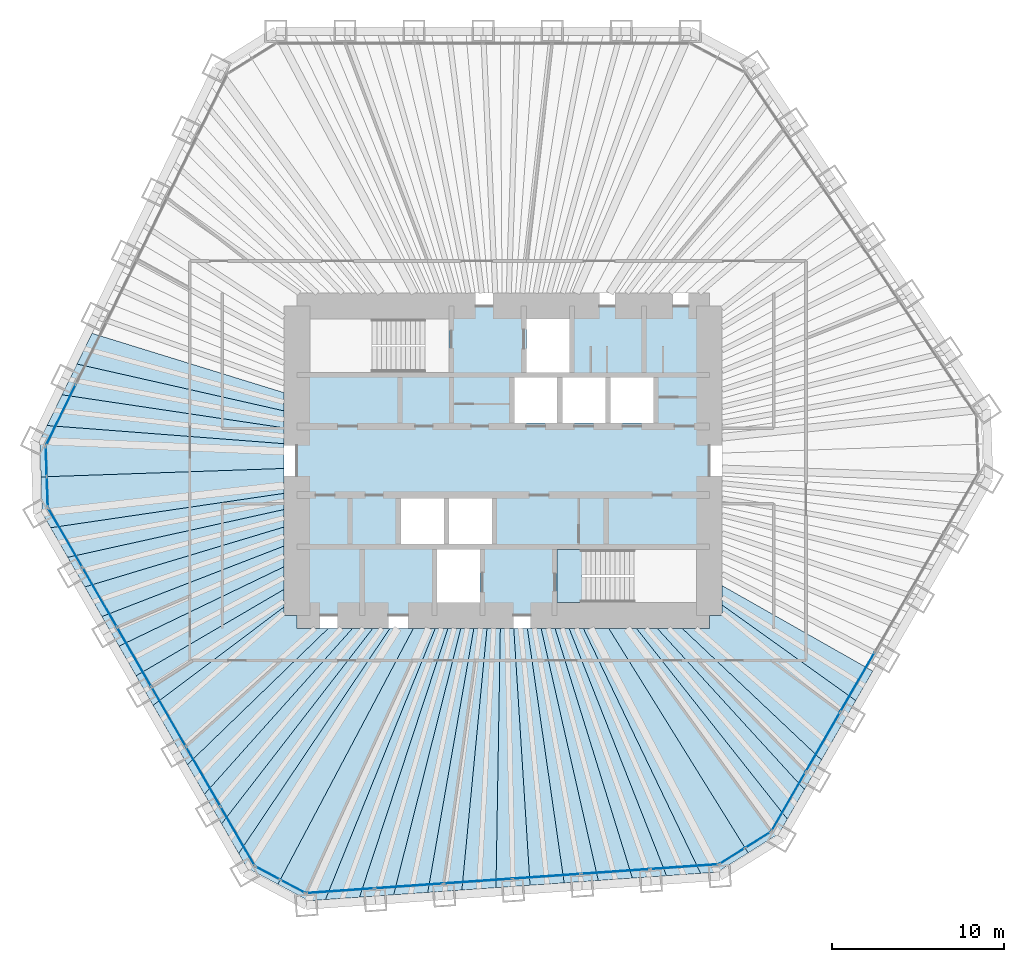
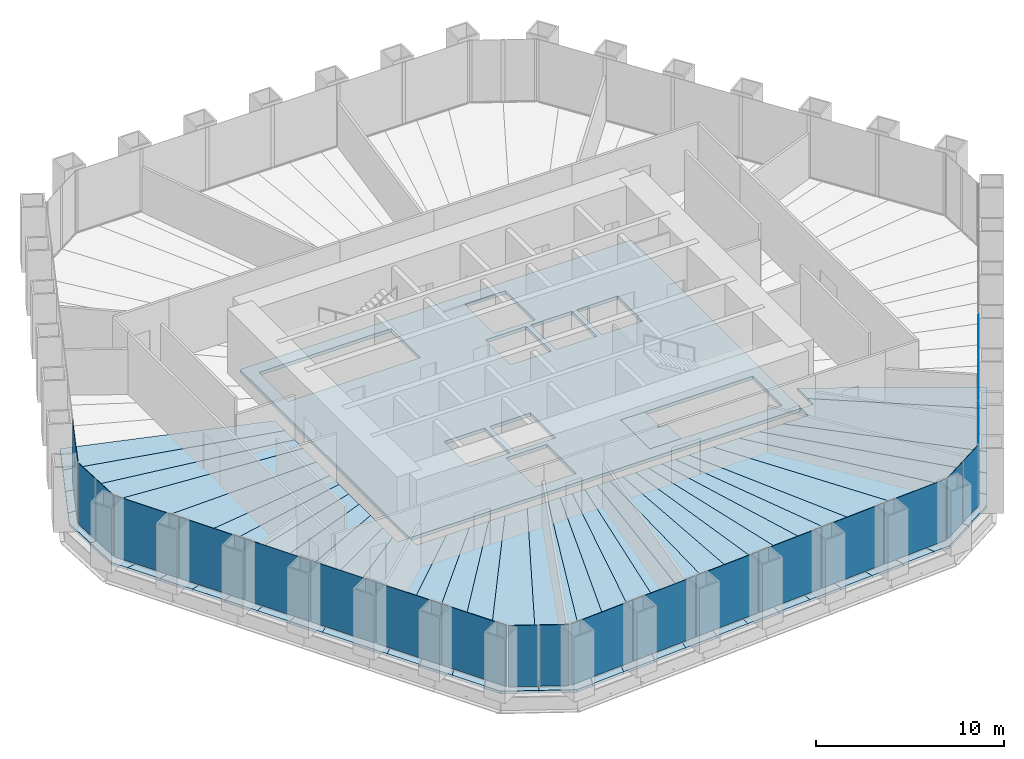
# One storey, part 8 of 13: 36 slabs, 22 plates, 8 elements without a shape of their own.
"""IFC4 building model written with IfcOpenShell, lengths in metres."""

from ifc_helpers import new_model, si_unit, direction, frame, origin, origin_2d, place, context, subcontext, project, spatial, polyline, rectangle, outline, extrude, material, layer, layer_set, type_object, element, aggregate, save


model = new_model("IFC4")

# Units and contexts
model_context = context("Model", 3, precision=1e-05, world=origin(), true_north=direction((0.0, 1.0)))
body_context = subcontext(model_context, "Body", "Model", "MODEL_VIEW")
ifc_project = project(units=[si_unit("LENGTHUNIT", "METRE"), si_unit("AREAUNIT", "SQUARE_METRE"), si_unit("VOLUMEUNIT", "CUBIC_METRE"), si_unit("PLANEANGLEUNIT", "RADIAN"), si_unit("MASSUNIT", "GRAM", prefix="KILO")], contexts=[model_context])

# Site, building, storey
site_placement = place(None, origin())
site = spatial("IfcSite", under=ifc_project, at=site_placement, CompositionType="ELEMENT")
building_placement = place(site_placement, origin())
building = spatial("IfcBuilding", under=site, at=building_placement, Name="Qingtian Harvest Tower", CompositionType="ELEMENT")
storey_placement = place(building_placement, frame((0.0, 0.0, 166.0)))
storey = spatial("IfcBuildingStorey", under=building, at=storey_placement, Name="L35", CompositionType="ELEMENT", Elevation=166.0)

# Slabs
ifc_material_1 = material(Name="Concrete fc' 35 MPa", Category="concrete")
ifc_layer_1 = layer(ifc_material_1, 0.169921875)
ifc_layer_set_1 = layer_set([ifc_layer_1], Name="Composite floor slab FS17 170")
slab_type_1 = type_object("IfcSlabType", Name="Composite floor slab FS17 170", PredefinedType="FLOOR", material=ifc_layer_set_1)
slab_1_placement = place(storey_placement, frame((0.0, 0.0, -0.169921875)))
element("IfcSlab", 1, at=slab_1_placement, inside=storey, type_object=slab_type_1, Name="Floor slab L35 panel D01", PredefinedType="FLOOR", context=body_context, shape_type="SweptSolid", body=[
    extrude(outline(polyline([(-26.8935546875, -0.939208984375), (-12.75, -0.447998046875), (-12.75, -1.89599609375), (-26.333984375, -3.8984375), (-26.819580078125, -3.056884765625), (-26.8935546875, -0.939208984375)])), origin(), (0.0, 0.0, 1.0), 0.169921875),
])
slab_2_placement = place(storey_placement, frame((0.0, 0.0, -0.169921875)))
element("IfcSlab", 2, at=slab_2_placement, inside=storey, type_object=slab_type_1, Name="Floor slab L35 panel D02", PredefinedType="FLOOR", context=body_context, shape_type="SweptSolid", body=[
    extrude(outline(polyline([(-12.75, -2.838134765625), (-25.3388671875, -5.62158203125), (-26.333984375, -3.8984375), (-12.75, -1.89599609375), (-12.75, -2.838134765625)])), origin(), (0.0, 0.0, 1.0), 0.169921875),
])
slab_3_placement = place(storey_placement, frame((0.0, 0.0, -0.169921875)))
element("IfcSlab", 3, at=slab_3_placement, inside=storey, type_object=slab_type_1, Name="Floor slab L35 panel D03", PredefinedType="FLOOR", context=body_context, shape_type="SweptSolid", body=[
    extrude(outline(polyline([(-12.75, -3.857666015625), (-24.343994140625, -7.344970703125), (-25.3388671875, -5.62158203125), (-12.75, -2.838134765625), (-12.75, -3.857666015625)])), origin(), (0.0, 0.0, 1.0), 0.169921875),
])
slab_4_placement = place(storey_placement, frame((0.0, 0.0, -0.169921875)))
element("IfcSlab", 4, at=slab_4_placement, inside=storey, type_object=slab_type_1, Name="Floor slab L35 panel D04", PredefinedType="FLOOR", context=body_context, shape_type="SweptSolid", body=[
    extrude(outline(polyline([(-12.75, -4.9638671875), (-23.34912109375, -9.068115234375), (-24.343994140625, -7.344970703125), (-12.75, -3.857666015625), (-12.75, -4.9638671875)])), origin(), (0.0, 0.0, 1.0), 0.169921875),
])
slab_5_placement = place(storey_placement, frame((0.0, 0.0, -0.169921875)))
element("IfcSlab", 5, at=slab_5_placement, inside=storey, type_object=slab_type_1, Name="Floor slab L35 panel D05", PredefinedType="FLOOR", context=body_context, shape_type="SweptSolid", body=[
    extrude(outline(polyline([(-12.75, -6.1689453125), (-22.354248046875, -10.79150390625), (-23.34912109375, -9.068115234375), (-12.75, -4.9638671875), (-12.75, -6.1689453125)])), origin(), (0.0, 0.0, 1.0), 0.169921875),
])
slab_6_placement = place(storey_placement, frame((0.0, 0.0, -0.169921875)))
element("IfcSlab", 6, at=slab_6_placement, inside=storey, type_object=slab_type_1, Name="Floor slab L35 panel D06", PredefinedType="FLOOR", context=body_context, shape_type="SweptSolid", body=[
    extrude(outline(polyline([(-12.75, -7.486328125), (-21.359130859375, -12.5146484375), (-22.354248046875, -10.79150390625), (-12.75, -6.1689453125), (-12.75, -7.486328125)])), origin(), (0.0, 0.0, 1.0), 0.169921875),
])
slab_7_placement = place(storey_placement, frame((0.0, 0.0, -0.169921875)))
element("IfcSlab", 7, at=slab_7_placement, inside=storey, type_object=slab_type_1, Name="Floor slab L35 panel D07", PredefinedType="FLOOR", context=body_context, shape_type="SweptSolid", body=[
    extrude(outline(polyline([(-12.75, -8.512451171875), (-20.36865234375, -14.23046875), (-21.359130859375, -12.5146484375), (-12.75, -7.486328125), (-12.75, -8.512451171875)])), origin(), (0.0, 0.0, 1.0), 0.169921875),
])
slab_8_placement = place(storey_placement, frame((0.0, 0.0, -0.169921875)))
element("IfcSlab", 8, at=slab_8_placement, inside=storey, type_object=slab_type_1, Name="Floor slab L35 panel D09", PredefinedType="FLOOR", context=body_context, shape_type="SweptSolid", body=[
    extrude(outline(polyline([(-18.375, -17.683837890625), (-20.36865234375, -14.23046875), (-12.75, -8.512451171875), (-12.75, -9.0), (-12.0, -9.0), (-12.0, -9.75), (-10.168212890625, -9.75), (-18.375, -17.683837890625)])), origin(), (0.0, 0.0, 1.0), 0.169921875),
])
slab_9_placement = place(storey_placement, frame((0.0, 0.0, -0.169921875)))
element("IfcSlab", 9, at=slab_9_placement, inside=storey, type_object=slab_type_1, Name="Floor slab L35 panel D10", PredefinedType="FLOOR", context=body_context, shape_type="SweptSolid", body=[
    extrude(outline(polyline([(-8.759521484375, -9.75), (-17.3798828125, -19.4072265625), (-18.375, -17.683837890625), (-10.168212890625, -9.75), (-8.759521484375, -9.75)])), origin(), (0.0, 0.0, 1.0), 0.169921875),
])
slab_10_placement = place(storey_placement, frame((0.0, 0.0, -0.169921875)))
element("IfcSlab", 10, at=slab_10_placement, inside=storey, type_object=slab_type_1, Name="Floor slab L35 panel D11", PredefinedType="FLOOR", context=body_context, shape_type="SweptSolid", body=[
    extrude(outline(polyline([(-7.58203125, -9.75), (-16.385009765625, -21.13037109375), (-17.3798828125, -19.4072265625), (-8.759521484375, -9.75), (-7.58203125, -9.75)])), origin(), (0.0, 0.0, 1.0), 0.169921875),
])
slab_11_placement = place(storey_placement, frame((0.0, 0.0, -0.169921875)))
element("IfcSlab", 11, at=slab_11_placement, inside=storey, type_object=slab_type_1, Name="Floor slab L35 panel D12", PredefinedType="FLOOR", context=body_context, shape_type="SweptSolid", body=[
    extrude(outline(polyline([(-6.5830078125, -9.75), (-15.389892578125, -22.853759765625), (-16.385009765625, -21.13037109375), (-7.58203125, -9.75), (-6.5830078125, -9.75)])), origin(), (0.0, 0.0, 1.0), 0.169921875),
])
slab_12_placement = place(storey_placement, frame((0.0, 0.0, -0.169921875)))
element("IfcSlab", 12, at=slab_12_placement, inside=storey, type_object=slab_type_1, Name="Floor slab L35 panel D13", PredefinedType="FLOOR", context=body_context, shape_type="SweptSolid", body=[
    extrude(outline(polyline([(-6.5830078125, -9.75), (-5.21875, -9.75), (-13.107421875, -24.650634765625), (-14.904052734375, -23.6953125), (-15.389892578125, -22.853759765625), (-6.5830078125, -9.75)])), origin(), (0.0, 0.0, 1.0), 0.169921875),
])
slab_13_placement = place(storey_placement, frame((0.0, 0.0, -0.169921875)))
element("IfcSlab", 13, at=slab_13_placement, inside=storey, type_object=slab_type_1, Name="Floor slab L35 panel D14", PredefinedType="FLOOR", context=body_context, shape_type="SweptSolid", body=[
    extrude(outline(polyline([(-5.21875, -9.75), (-3.947021484375, -9.75), (-10.3408203125, -25.53857421875), (-11.31005859375, -25.606201171875), (-13.107421875, -24.650634765625), (-5.21875, -9.75)])), origin(), (0.0, 0.0, 1.0), 0.169921875),
])
slab_14_placement = place(storey_placement, frame((0.0, 0.0, -0.169921875)))
element("IfcSlab", 14, at=slab_14_placement, inside=storey, type_object=slab_type_1, Name="Floor slab L35 panel D15", PredefinedType="FLOOR", context=body_context, shape_type="SweptSolid", body=[
    extrude(outline(polyline([(-3.20654296875, -9.75), (-8.35595703125, -25.399658203125), (-10.3408203125, -25.53857421875), (-3.947021484375, -9.75), (-3.20654296875, -9.75)])), origin(), (0.0, 0.0, 1.0), 0.169921875),
])
slab_15_placement = place(storey_placement, frame((0.0, 0.0, -0.169921875)))
element("IfcSlab", 15, at=slab_15_placement, inside=storey, type_object=slab_type_1, Name="Floor slab L35 panel D16", PredefinedType="FLOOR", context=body_context, shape_type="SweptSolid", body=[
    extrude(outline(polyline([(-2.4580078125, -9.75), (-6.370849609375, -25.260986328125), (-8.35595703125, -25.399658203125), (-3.20654296875, -9.75), (-2.4580078125, -9.75)])), origin(), (0.0, 0.0, 1.0), 0.169921875),
])
slab_16_placement = place(storey_placement, frame((0.0, 0.0, -0.169921875)))
element("IfcSlab", 16, at=slab_16_placement, inside=storey, type_object=slab_type_1, Name="Floor slab L35 panel D17", PredefinedType="FLOOR", context=body_context, shape_type="SweptSolid", body=[
    extrude(outline(polyline([(-1.701171875, -9.75), (-4.385986328125, -25.1220703125), (-6.370849609375, -25.260986328125), (-2.4580078125, -9.75), (-1.701171875, -9.75)])), origin(), (0.0, 0.0, 1.0), 0.169921875),
])
slab_17_placement = place(storey_placement, frame((0.0, 0.0, -0.169921875)))
element("IfcSlab", 17, at=slab_17_placement, inside=storey, type_object=slab_type_1, Name="Floor slab L35 panel D18", PredefinedType="FLOOR", context=body_context, shape_type="SweptSolid", body=[
    extrude(outline(polyline([(-0.93603515625, -9.75), (-2.40087890625, -24.9833984375), (-4.385986328125, -25.1220703125), (-1.701171875, -9.75), (-0.93603515625, -9.75)])), origin(), (0.0, 0.0, 1.0), 0.169921875),
])
slab_18_placement = place(storey_placement, frame((0.0, 0.0, -0.169921875)))
element("IfcSlab", 18, at=slab_18_placement, inside=storey, type_object=slab_type_1, Name="Floor slab L35 panel D19", PredefinedType="FLOOR", context=body_context, shape_type="SweptSolid", body=[
    extrude(outline(polyline([(-0.162109375, -9.75), (-0.416015625, -24.844482421875), (-2.40087890625, -24.9833984375), (-0.93603515625, -9.75), (-0.162109375, -9.75)])), origin(), (0.0, 0.0, 1.0), 0.169921875),
])
slab_19_placement = place(storey_placement, frame((0.0, 0.0, -0.169921875)))
element("IfcSlab", 19, at=slab_19_placement, inside=storey, type_object=slab_type_1, Name="Floor slab L35 panel D20", PredefinedType="FLOOR", context=body_context, shape_type="SweptSolid", body=[
    extrude(outline(polyline([(0.620361328125, -9.75), (1.569091796875, -24.705810546875), (-0.416015625, -24.844482421875), (-0.162109375, -9.75), (0.620361328125, -9.75)])), origin(), (0.0, 0.0, 1.0), 0.169921875),
])
slab_20_placement = place(storey_placement, frame((0.0, 0.0, -0.169921875)))
element("IfcSlab", 20, at=slab_20_placement, inside=storey, type_object=slab_type_1, Name="Floor slab L35 panel D21", PredefinedType="FLOOR", context=body_context, shape_type="SweptSolid", body=[
    extrude(outline(polyline([(1.41162109375, -9.75), (3.553955078125, -24.56689453125), (1.569091796875, -24.705810546875), (0.620361328125, -9.75), (1.41162109375, -9.75)])), origin(), (0.0, 0.0, 1.0), 0.169921875),
])
slab_21_placement = place(storey_placement, frame((0.0, 0.0, -0.169921875)))
element("IfcSlab", 21, at=slab_21_placement, inside=storey, type_object=slab_type_1, Name="Floor slab L35 panel D22", PredefinedType="FLOOR", context=body_context, shape_type="SweptSolid", body=[
    extrude(outline(polyline([(2.2119140625, -9.75), (5.5390625, -24.42822265625), (3.553955078125, -24.56689453125), (1.41162109375, -9.75), (2.2119140625, -9.75)])), origin(), (0.0, 0.0, 1.0), 0.169921875),
])
slab_22_placement = place(storey_placement, frame((0.0, 0.0, -0.169921875)))
element("IfcSlab", 22, at=slab_22_placement, inside=storey, type_object=slab_type_1, Name="Floor slab L35 panel D23", PredefinedType="FLOOR", context=body_context, shape_type="SweptSolid", body=[
    extrude(outline(polyline([(3.021484375, -9.75), (7.524169921875, -24.289306640625), (5.5390625, -24.42822265625), (2.2119140625, -9.75), (3.021484375, -9.75)])), origin(), (0.0, 0.0, 1.0), 0.169921875),
])
slab_23_placement = place(storey_placement, frame((0.0, 0.0, -0.169921875)))
element("IfcSlab", 23, at=slab_23_placement, inside=storey, type_object=slab_type_1, Name="Floor slab L35 panel D24", PredefinedType="FLOOR", context=body_context, shape_type="SweptSolid", body=[
    extrude(outline(polyline([(3.840087890625, -9.75), (9.509033203125, -24.150390625), (7.524169921875, -24.289306640625), (3.021484375, -9.75), (3.840087890625, -9.75)])), origin(), (0.0, 0.0, 1.0), 0.169921875),
])
slab_24_placement = place(storey_placement, frame((0.0, 0.0, -0.169921875)))
element("IfcSlab", 24, at=slab_24_placement, inside=storey, type_object=slab_type_1, Name="Floor slab L35 panel D25", PredefinedType="FLOOR", context=body_context, shape_type="SweptSolid", body=[
    extrude(outline(polyline([(4.66845703125, -9.75), (11.494140625, -24.01171875), (9.509033203125, -24.150390625), (3.840087890625, -9.75), (4.66845703125, -9.75)])), origin(), (0.0, 0.0, 1.0), 0.169921875),
])
slab_25_placement = place(storey_placement, frame((0.0, 0.0, -0.169921875)))
element("IfcSlab", 25, at=slab_25_placement, inside=storey, type_object=slab_type_1, Name="Floor slab L35 panel D26", PredefinedType="FLOOR", context=body_context, shape_type="SweptSolid", body=[
    extrude(outline(polyline([(4.66845703125, -9.75), (6.14404296875, -9.75), (14.2607421875, -22.820556640625), (12.463134765625, -23.94384765625), (11.494140625, -24.01171875), (4.66845703125, -9.75)])), origin(), (0.0, 0.0, 1.0), 0.169921875),
])
slab_26_placement = place(storey_placement, frame((0.0, 0.0, -0.169921875)))
element("IfcSlab", 26, at=slab_26_placement, inside=storey, type_object=slab_type_1, Name="Floor slab L35 panel D27", PredefinedType="FLOOR", context=body_context, shape_type="SweptSolid", body=[
    extrude(outline(polyline([(6.14404296875, -9.75), (7.756103515625, -9.75), (16.543212890625, -20.8564453125), (16.05712890625, -21.697998046875), (14.2607421875, -22.820556640625), (6.14404296875, -9.75)])), origin(), (0.0, 0.0, 1.0), 0.169921875),
])
slab_27_placement = place(storey_placement, frame((0.0, 0.0, -0.169921875)))
element("IfcSlab", 27, at=slab_27_placement, inside=storey, type_object=slab_type_1, Name="Floor slab L35 panel D28", PredefinedType="FLOOR", context=body_context, shape_type="SweptSolid", body=[
    extrude(outline(polyline([(8.966552734375, -9.75), (17.5380859375, -19.133056640625), (16.543212890625, -20.8564453125), (7.756103515625, -9.75), (8.966552734375, -9.75)])), origin(), (0.0, 0.0, 1.0), 0.169921875),
])
slab_28_placement = place(storey_placement, frame((0.0, 0.0, -0.169921875)))
element("IfcSlab", 28, at=slab_28_placement, inside=storey, type_object=slab_type_1, Name="Floor slab L35 panel D29", PredefinedType="FLOOR", context=body_context, shape_type="SweptSolid", body=[
    extrude(outline(polyline([(10.41796875, -9.75), (18.532958984375, -17.40966796875), (17.5380859375, -19.133056640625), (8.966552734375, -9.75), (10.41796875, -9.75)])), origin(), (0.0, 0.0, 1.0), 0.169921875),
])
slab_29_placement = place(storey_placement, frame((0.0, 0.0, -0.169921875)))
element("IfcSlab", 29, at=slab_29_placement, inside=storey, type_object=slab_type_1, Name="Floor slab L35 panel D31", PredefinedType="FLOOR", context=body_context, shape_type="SweptSolid", body=[
    extrude(outline(polyline([(12.75, -8.398681640625), (20.525390625, -13.958740234375), (18.532958984375, -17.40966796875), (10.41796875, -9.75), (12.0, -9.75), (12.0, -9.0), (12.75, -9.0), (12.75, -8.398681640625)])), origin(), (0.0, 0.0, 1.0), 0.169921875),
])
slab_30_placement = place(storey_placement, frame((0.0, 0.0, -0.169921875)))
element("IfcSlab", 30, at=slab_30_placement, inside=storey, type_object=slab_type_1, Name="Floor slab L35 panel D32", PredefinedType="FLOOR", context=body_context, shape_type="SweptSolid", body=[
    extrude(outline(polyline([(12.75, -7.268798828125), (21.517333984375, -12.24072265625), (20.525390625, -13.958740234375), (12.75, -8.398681640625), (12.75, -7.268798828125)])), origin(), (0.0, 0.0, 1.0), 0.169921875),
])
slab_31_placement = place(storey_placement, frame((0.0, 0.0, -0.169921875)))
element("IfcSlab", 31, at=slab_31_placement, inside=storey, type_object=slab_type_1, Name="Floor slab L35 panel D75", PredefinedType="FLOOR", context=body_context, shape_type="SweptSolid", body=[
    extrude(outline(polyline([(-12.75, 2.903076171875), (-24.797119140625, 5.62890625), (-23.9248046875, 7.417236328125), (-12.75, 3.962646484375), (-12.75, 2.903076171875)])), origin(), (0.0, 0.0, 1.0), 0.169921875),
])
slab_32_placement = place(storey_placement, frame((0.0, 0.0, -0.169921875)))
element("IfcSlab", 32, at=slab_32_placement, inside=storey, type_object=slab_type_1, Name="Floor slab L35 panel D76", PredefinedType="FLOOR", context=body_context, shape_type="SweptSolid", body=[
    extrude(outline(polyline([(-12.75, 1.91552734375), (-25.66943359375, 3.84033203125), (-24.797119140625, 5.62890625), (-12.75, 2.903076171875), (-12.75, 1.91552734375)])), origin(), (0.0, 0.0, 1.0), 0.169921875),
])
slab_33_placement = place(storey_placement, frame((0.0, 0.0, -0.169921875)))
element("IfcSlab", 33, at=slab_33_placement, inside=storey, type_object=slab_type_1, Name="Floor slab L35 panel D77", PredefinedType="FLOOR", context=body_context, shape_type="SweptSolid", body=[
    extrude(outline(polyline([(-12.75, 0.992919921875), (-26.541748046875, 2.0517578125), (-25.66943359375, 3.84033203125), (-12.75, 1.91552734375), (-12.75, 0.992919921875)])), origin(), (0.0, 0.0, 1.0), 0.169921875),
])
slab_34_placement = place(storey_placement, frame((0.0, 0.0, -0.169921875)))
element("IfcSlab", 34, at=slab_34_placement, inside=storey, type_object=slab_type_1, Name="Floor slab L35 panel D78", PredefinedType="FLOOR", context=body_context, shape_type="SweptSolid", body=[
    extrude(outline(polyline([(-12.75, 0.992919921875), (-12.75, -0.447998046875), (-26.8935546875, -0.939208984375), (-26.967529296875, 1.1787109375), (-26.541748046875, 2.0517578125), (-12.75, 0.992919921875)])), origin(), (0.0, 0.0, 1.0), 0.169921875),
])
ifc_material_2 = material(Name="Concrete fc' 35 MPa", Category="concrete")
ifc_layer_2 = layer(ifc_material_2, 0.219970703125)
ifc_layer_set_2 = layer_set([ifc_layer_2], Name="Core floor slab CS22 220")
slab_type_2 = type_object("IfcSlabType", Name="Core floor slab CS22 220", PredefinedType="FLOOR", material=ifc_layer_set_2)
slab_35_placement = place(storey_placement, frame((0.0, 0.0, -0.219970703125)))
element("IfcSlab", 35, at=slab_35_placement, inside=storey, type_object=slab_type_2, Name="Core floor slab L35", PredefinedType="FLOOR", context=body_context, shape_type="SweptSolid", body=[
    extrude(outline(polyline([(-12.0, -9.0), (12.0, -9.0), (12.0, 9.0), (-12.0, 9.0), (-12.0, -9.0)]), holes=[polyline([(-11.25, 5.14990234375), (-3.14990234375, 5.14990234375), (-3.14990234375, 8.25), (-11.25, 8.25), (-11.25, 5.14990234375)]), polyline([(3.14990234375, -8.25), (11.25, -8.25), (11.25, -5.14990234375), (3.14990234375, -5.14990234375), (3.14990234375, -8.25)]), polyline([(1.35009765625, 5.14990234375), (3.85009765625, 5.14990234375), (3.85009765625, 8.25), (1.35009765625, 8.25), (1.35009765625, 5.14990234375)]), polyline([(-3.85009765625, -8.25), (-1.35009765625, -8.25), (-1.35009765625, -5.14990234375), (-3.85009765625, -5.14990234375), (-3.85009765625, -8.25)]), polyline([(0.64990234375, 2.199951171875), (3.14990234375, 2.199951171875), (3.14990234375, 4.85009765625), (0.64990234375, 4.85009765625), (0.64990234375, 2.199951171875)]), polyline([(3.449951171875, 2.199951171875), (5.949951171875, 2.199951171875), (5.949951171875, 4.85009765625), (3.449951171875, 4.85009765625), (3.449951171875, 2.199951171875)]), polyline([(6.25, 2.199951171875), (8.75, 2.199951171875), (8.75, 4.85009765625), (6.25, 4.85009765625), (6.25, 2.199951171875)]), polyline([(-5.949951171875, -4.85009765625), (-3.449951171875, -4.85009765625), (-3.449951171875, -2.199951171875), (-5.949951171875, -2.199951171875), (-5.949951171875, -4.85009765625)]), polyline([(-3.14990234375, -4.85009765625), (-0.64990234375, -4.85009765625), (-0.64990234375, -2.199951171875), (-3.14990234375, -2.199951171875), (-3.14990234375, -4.85009765625)])]), origin(), (0.0, 0.0, 1.0), 0.219970703125),
])

# Curtain wall, plates
ifc_material_3 = material(Name="Bronze-anodised aluminium curtain wall", Category="aluminium")
curtain_wall_type = type_object("IfcCurtainWallType", Name="Curtain wall CW4 office", PredefinedType="USERDEFINED", material=ifc_material_3)
curtain_wall_1_placement = place(storey_placement, origin())
curtain_wall_1 = element("IfcCurtainWall", 36, at=curtain_wall_1_placement, inside=storey, type_object=curtain_wall_type, Name="Curtain wall CW4 L35 SE0-5", ObjectType="RECESSED CURTAIN WALL", PredefinedType="USERDEFINED")
ifc_material_4 = material(Name="Bronze-tinted laminated insulating glass", Category="glass")
ifc_layer_3 = layer(ifc_material_4, 0.030029296875)
ifc_layer_set_3 = layer_set([ifc_layer_3], Name="Glazed panel CWP tinted IGU")
plate_type = type_object("IfcPlateType", Name="Glazed panel CWP tinted IGU", PredefinedType="CURTAIN_PANEL", material=ifc_layer_set_3)
plate_1_placement = place(storey_placement, frame((20.621826171875, -12.8818359375, 0.06494140625), z_axis=(0.0, 0.0, 1.0), x_axis=(-0.5, -0.866025403784, 0.0)))
plate_1 = element("IfcPlate", 37, at=plate_1_placement, type_object=plate_type, Name="CW4 panel 4.1", PredefinedType="CURTAIN_PANEL", context=body_context, shape_type="SweptSolid", body=[
    extrude(rectangle(XDim=3.9541015625, YDim=0.030029296875, at=origin_2d()), origin(), (0.0, 0.0, 1.0), 3.965087890625),
])
plate_2_placement = place(storey_placement, frame((18.6123046875, -16.362548828125, 0.06494140625), z_axis=(0.0, 0.0, 1.0), x_axis=(-0.5, -0.866025403784, 0.0)))
plate_2 = element("IfcPlate", 38, at=plate_2_placement, type_object=plate_type, Name="CW4 panel 5.1", PredefinedType="CURTAIN_PANEL", context=body_context, shape_type="SweptSolid", body=[
    extrude(rectangle(XDim=3.9541015625, YDim=0.030029296875, at=origin_2d()), origin(), (0.0, 0.0, 1.0), 3.965087890625),
])
plate_3_placement = place(storey_placement, frame((16.61083984375, -19.8291015625, 0.06494140625), z_axis=(0.0, 0.0, 1.0), x_axis=(-0.5, -0.866025403784, 0.0)))
plate_3 = element("IfcPlate", 39, at=plate_3_placement, type_object=plate_type, Name="CW4 panel 6.1", PredefinedType="CURTAIN_PANEL", context=body_context, shape_type="SweptSolid", body=[
    extrude(rectangle(XDim=3.921630859375, YDim=0.030029296875, at=origin_2d()), origin(), (0.0, 0.0, 1.0), 3.965087890625),
])
aggregate(curtain_wall_1, [plate_1, plate_2, plate_3])

curtain_wall_2_placement = place(storey_placement, origin())
curtain_wall_2 = element("IfcCurtainWall", 40, at=curtain_wall_2_placement, inside=storey, type_object=curtain_wall_type, Name="Curtain wall CW4 L35 SEC", ObjectType="RECESSED CURTAIN WALL", PredefinedType="USERDEFINED")
plate_4_placement = place(storey_placement, frame((14.8251953125, -22.06640625, 0.06494140625), z_axis=(0.0, 0.0, 1.0), x_axis=(-0.848048096156, -0.529919264233, 0.0)))
plate_4 = element("IfcPlate", 41, at=plate_4_placement, type_object=plate_type, Name="CW4 panel 1.1", PredefinedType="CURTAIN_PANEL", context=body_context, shape_type="SweptSolid", body=[
    extrude(rectangle(XDim=1.69287109375, YDim=0.030029296875, at=origin_2d()), origin(), (0.0, 0.0, 1.0), 3.965087890625),
])
plate_5_placement = place(storey_placement, frame((13.334228515625, -22.998046875, 0.06494140625), z_axis=(0.0, 0.0, 1.0), x_axis=(-0.848048096156, -0.529919264233, 0.0)))
plate_5 = element("IfcPlate", 42, at=plate_5_placement, type_object=plate_type, Name="CW4 panel 2.1", PredefinedType="CURTAIN_PANEL", context=body_context, shape_type="SweptSolid", body=[
    extrude(rectangle(XDim=1.69287109375, YDim=0.030029296875, at=origin_2d()), origin(), (0.0, 0.0, 1.0), 3.965087890625),
])
aggregate(curtain_wall_2, [plate_4, plate_5])

curtain_wall_3_placement = place(storey_placement, origin())
curtain_wall_3 = element("IfcCurtainWall", 43, at=curtain_wall_3_placement, inside=storey, type_object=curtain_wall_type, Name="Curtain wall CW4 L35 S0-5", ObjectType="RECESSED CURTAIN WALL", PredefinedType="USERDEFINED")
plate_6_placement = place(storey_placement, frame((10.54052734375, -23.622314453125, 0.06494140625), z_axis=(0.0, 0.0, 1.0), x_axis=(-0.99756405026, -0.069756473744, 0.0)))
plate_6 = element("IfcPlate", 44, at=plate_6_placement, type_object=plate_type, Name="CW4 panel 1.1", PredefinedType="CURTAIN_PANEL", context=body_context, shape_type="SweptSolid", body=[
    extrude(rectangle(XDim=3.921630859375, YDim=0.030029296875, at=origin_2d()), origin(), (0.0, 0.0, 1.0), 3.965087890625),
])
plate_7_placement = place(storey_placement, frame((6.54736328125, -23.901611328125, 0.06494140625), z_axis=(0.0, 0.0, 1.0), x_axis=(-0.99756405026, -0.069756473744, 0.0)))
plate_7 = element("IfcPlate", 45, at=plate_7_placement, type_object=plate_type, Name="CW4 panel 2.1", PredefinedType="CURTAIN_PANEL", context=body_context, shape_type="SweptSolid", body=[
    extrude(rectangle(XDim=3.9541015625, YDim=0.030029296875, at=origin_2d()), origin(), (0.0, 0.0, 1.0), 3.965087890625),
])
plate_8_placement = place(storey_placement, frame((2.5380859375, -24.181884765625, 0.06494140625), z_axis=(0.0, 0.0, 1.0), x_axis=(-0.99756405026, -0.069756473744, 0.0)))
plate_8 = element("IfcPlate", 46, at=plate_8_placement, type_object=plate_type, Name="CW4 panel 3.1", PredefinedType="CURTAIN_PANEL", context=body_context, shape_type="SweptSolid", body=[
    extrude(rectangle(XDim=3.9541015625, YDim=0.030029296875, at=origin_2d()), origin(), (0.0, 0.0, 1.0), 3.965087890625),
])
plate_9_placement = place(storey_placement, frame((-1.47119140625, -24.462158203125, 0.06494140625), z_axis=(0.0, 0.0, 1.0), x_axis=(-0.99756405026, -0.069756473744, 0.0)))
plate_9 = element("IfcPlate", 47, at=plate_9_placement, type_object=plate_type, Name="CW4 panel 4.1", PredefinedType="CURTAIN_PANEL", context=body_context, shape_type="SweptSolid", body=[
    extrude(rectangle(XDim=3.9541015625, YDim=0.030029296875, at=origin_2d()), origin(), (0.0, 0.0, 1.0), 3.965087890625),
])
plate_10_placement = place(storey_placement, frame((-5.48046875, -24.74267578125, 0.06494140625), z_axis=(0.0, 0.0, 1.0), x_axis=(-0.99756405026, -0.069756473744, 0.0)))
plate_10 = element("IfcPlate", 48, at=plate_10_placement, type_object=plate_type, Name="CW4 panel 5.1", PredefinedType="CURTAIN_PANEL", context=body_context, shape_type="SweptSolid", body=[
    extrude(rectangle(XDim=3.9541015625, YDim=0.030029296875, at=origin_2d()), origin(), (0.0, 0.0, 1.0), 3.965087890625),
])
plate_11_placement = place(storey_placement, frame((-9.4736328125, -25.021728515625, 0.06494140625), z_axis=(0.0, 0.0, 1.0), x_axis=(-0.99756405026, -0.069756473744, 0.0)))
plate_11 = element("IfcPlate", 49, at=plate_11_placement, type_object=plate_type, Name="CW4 panel 6.1", PredefinedType="CURTAIN_PANEL", context=body_context, shape_type="SweptSolid", body=[
    extrude(rectangle(XDim=3.921630859375, YDim=0.030029296875, at=origin_2d()), origin(), (0.0, 0.0, 1.0), 3.965087890625),
])
aggregate(curtain_wall_3, [plate_6, plate_7, plate_8, plate_9, plate_10, plate_11])

curtain_wall_4_placement = place(storey_placement, origin())
curtain_wall_4 = element("IfcCurtainWall", 50, at=curtain_wall_4_placement, inside=storey, type_object=curtain_wall_type, Name="Curtain wall CW4 L35 SC", ObjectType="RECESSED CURTAIN WALL", PredefinedType="USERDEFINED")
plate_12_placement = place(storey_placement, frame((-12.24365234375, -24.764892578125, 0.06494140625), z_axis=(0.0, 0.0, 1.0), x_axis=(-0.882947592859, 0.469471562786, 0.0)))
plate_12 = element("IfcPlate", 51, at=plate_12_placement, type_object=plate_type, Name="CW4 panel 1.1", PredefinedType="CURTAIN_PANEL", context=body_context, shape_type="SweptSolid", body=[
    extrude(rectangle(XDim=1.56689453125, YDim=0.030029296875, at=origin_2d()), origin(), (0.0, 0.0, 1.0), 3.965087890625),
])
plate_13_placement = place(storey_placement, frame((-13.684326171875, -23.998779296875, 0.06494140625), z_axis=(0.0, 0.0, 1.0), x_axis=(-0.882947592859, 0.469471562786, 0.0)))
plate_13 = element("IfcPlate", 52, at=plate_13_placement, type_object=plate_type, Name="CW4 panel 2.1", PredefinedType="CURTAIN_PANEL", context=body_context, shape_type="SweptSolid", body=[
    extrude(rectangle(XDim=1.56689453125, YDim=0.030029296875, at=origin_2d()), origin(), (0.0, 0.0, 1.0), 3.965087890625),
])
aggregate(curtain_wall_4, [plate_12, plate_13])

curtain_wall_5_placement = place(storey_placement, origin())
curtain_wall_5 = element("IfcCurtainWall", 53, at=curtain_wall_5_placement, inside=storey, type_object=curtain_wall_type, Name="Curtain wall CW4 L35 SW0-5", ObjectType="RECESSED CURTAIN WALL", PredefinedType="USERDEFINED")
plate_14_placement = place(storey_placement, frame((-15.446533203125, -21.845947265625, 0.06494140625), z_axis=(0.0, 0.0, 1.0), x_axis=(-0.5, 0.866025403784, 0.0)))
plate_14 = element("IfcPlate", 54, at=plate_14_placement, type_object=plate_type, Name="CW4 panel 1.1", PredefinedType="CURTAIN_PANEL", context=body_context, shape_type="SweptSolid", body=[
    extrude(rectangle(XDim=3.921630859375, YDim=0.030029296875, at=origin_2d()), origin(), (0.0, 0.0, 1.0), 3.965087890625),
])
plate_15_placement = place(storey_placement, frame((-17.44775390625, -18.37939453125, 0.06494140625), z_axis=(0.0, 0.0, 1.0), x_axis=(-0.5, 0.866025403784, 0.0)))
plate_15 = element("IfcPlate", 55, at=plate_15_placement, type_object=plate_type, Name="CW4 panel 2.1", PredefinedType="CURTAIN_PANEL", context=body_context, shape_type="SweptSolid", body=[
    extrude(rectangle(XDim=3.9541015625, YDim=0.030029296875, at=origin_2d()), origin(), (0.0, 0.0, 1.0), 3.965087890625),
])
plate_16_placement = place(storey_placement, frame((-19.45751953125, -14.898681640625, 0.06494140625), z_axis=(0.0, 0.0, 1.0), x_axis=(-0.5, 0.866025403784, 0.0)))
plate_16 = element("IfcPlate", 56, at=plate_16_placement, type_object=plate_type, Name="CW4 panel 3.1", PredefinedType="CURTAIN_PANEL", context=body_context, shape_type="SweptSolid", body=[
    extrude(rectangle(XDim=3.9541015625, YDim=0.030029296875, at=origin_2d()), origin(), (0.0, 0.0, 1.0), 3.965087890625),
])
plate_17_placement = place(storey_placement, frame((-21.467041015625, -11.418212890625, 0.06494140625), z_axis=(0.0, 0.0, 1.0), x_axis=(-0.5, 0.866025403784, 0.0)))
plate_17 = element("IfcPlate", 57, at=plate_17_placement, type_object=plate_type, Name="CW4 panel 4.1", PredefinedType="CURTAIN_PANEL", context=body_context, shape_type="SweptSolid", body=[
    extrude(rectangle(XDim=3.9541015625, YDim=0.030029296875, at=origin_2d()), origin(), (0.0, 0.0, 1.0), 3.965087890625),
])
plate_18_placement = place(storey_placement, frame((-23.4765625, -7.9375, 0.06494140625), z_axis=(0.0, 0.0, 1.0), x_axis=(-0.5, 0.866025403784, 0.0)))
plate_18 = element("IfcPlate", 58, at=plate_18_placement, type_object=plate_type, Name="CW4 panel 5.1", PredefinedType="CURTAIN_PANEL", context=body_context, shape_type="SweptSolid", body=[
    extrude(rectangle(XDim=3.9541015625, YDim=0.030029296875, at=origin_2d()), origin(), (0.0, 0.0, 1.0), 3.965087890625),
])
plate_19_placement = place(storey_placement, frame((-25.477783203125, -4.470947265625, 0.06494140625), z_axis=(0.0, 0.0, 1.0), x_axis=(-0.5, 0.866025403784, 0.0)))
plate_19 = element("IfcPlate", 59, at=plate_19_placement, type_object=plate_type, Name="CW4 panel 6.1", PredefinedType="CURTAIN_PANEL", context=body_context, shape_type="SweptSolid", body=[
    extrude(rectangle(XDim=3.921630859375, YDim=0.030029296875, at=origin_2d()), origin(), (0.0, 0.0, 1.0), 3.965087890625),
])
aggregate(curtain_wall_5, [plate_14, plate_15, plate_16, plate_17, plate_18, plate_19])

curtain_wall_6_placement = place(storey_placement, origin())
curtain_wall_6 = element("IfcCurtainWall", 60, at=curtain_wall_6_placement, inside=storey, type_object=curtain_wall_type, Name="Curtain wall CW4 L35 SWC", ObjectType="RECESSED CURTAIN WALL", PredefinedType="USERDEFINED")
plate_20_placement = place(storey_placement, frame((-26.522705078125, -1.8056640625, 0.06494140625), z_axis=(0.0, 0.0, 1.0), x_axis=(-0.034899496703, 0.999390827019, 0.0)))
plate_20 = element("IfcPlate", 61, at=plate_20_placement, type_object=plate_type, Name="CW4 panel 1.1", PredefinedType="CURTAIN_PANEL", context=body_context, shape_type="SweptSolid", body=[
    extrude(rectangle(XDim=1.69287109375, YDim=0.030029296875, at=origin_2d()), origin(), (0.0, 0.0, 1.0), 3.965087890625),
])
plate_21_placement = place(storey_placement, frame((-26.583984375, -0.048828125, 0.06494140625), z_axis=(0.0, 0.0, 1.0), x_axis=(-0.034899496703, 0.999390827019, 0.0)))
plate_21 = element("IfcPlate", 62, at=plate_21_placement, type_object=plate_type, Name="CW4 panel 2.1", PredefinedType="CURTAIN_PANEL", context=body_context, shape_type="SweptSolid", body=[
    extrude(rectangle(XDim=1.69287109375, YDim=0.030029296875, at=origin_2d()), origin(), (0.0, 0.0, 1.0), 3.965087890625),
])
aggregate(curtain_wall_6, [plate_20, plate_21])

# Curtain wall, plate
curtain_wall_7_placement = place(storey_placement, origin())
curtain_wall_7 = element("IfcCurtainWall", 63, at=curtain_wall_7_placement, inside=storey, type_object=curtain_wall_type, Name="Curtain wall CW4 L35 NW0-5", ObjectType="RECESSED CURTAIN WALL", PredefinedType="USERDEFINED")
plate_22_placement = place(storey_placement, frame((-25.727783203125, 2.682861328125, 0.06494140625), z_axis=(0.0, 0.0, 1.0), x_axis=(0.438371146789, 0.898794046299, 0.0)))
plate_22 = element("IfcPlate", 64, at=plate_22_placement, type_object=plate_type, Name="CW4 panel 1.1", PredefinedType="CURTAIN_PANEL", context=body_context, shape_type="SweptSolid", body=[
    extrude(rectangle(XDim=3.921630859375, YDim=0.030029296875, at=origin_2d()), origin(), (0.0, 0.0, 1.0), 3.965087890625),
])
aggregate(curtain_wall_7, [plate_22])

# Stair, slab
ifc_material_5 = material(Name="Concrete fc' 35 MPa", Category="concrete")
stair_type = type_object("IfcStairType", Name="Special stair ST3 4200", PredefinedType="HALF_TURN_STAIR", material=ifc_material_5)
stair_placement = place(storey_placement, origin())
stair = element("IfcStair", 65, at=stair_placement, inside=storey, type_object=stair_type, Name="Special stair S2 L35", PredefinedType="HALF_TURN_STAIR")
ifc_material_6 = material(Name="Concrete fc' 35 MPa", Category="concrete")
ifc_layer_4 = layer(ifc_material_6, 0.199951171875)
ifc_layer_set_4 = layer_set([ifc_layer_4], Name="Stair landing SL2 200")
slab_type_3 = type_object("IfcSlabType", Name="Stair landing SL2 200", PredefinedType="LANDING", material=ifc_layer_set_4)
slab_36_placement = place(storey_placement, frame((0.0, 0.0, -0.199951171875)))
slab_36 = element("IfcSlab", 66, at=slab_36_placement, type_object=slab_type_3, Name="S2 landing 1", PredefinedType="LANDING", context=body_context, shape_type="SweptSolid", body=[
    extrude(outline(polyline([(5.0849609375, -8.25), (3.14990234375, -8.25), (3.14990234375, -5.14990234375), (4.64990234375, -5.14990234375), (4.64990234375, -6.64990234375), (4.550048828125, -6.64990234375), (4.550048828125, -6.75), (5.0849609375, -6.75), (5.0849609375, -8.25)])), origin(), (0.0, 0.0, 1.0), 0.199951171875),
])
aggregate(stair, [slab_36])

save(model, "model.ifc")
